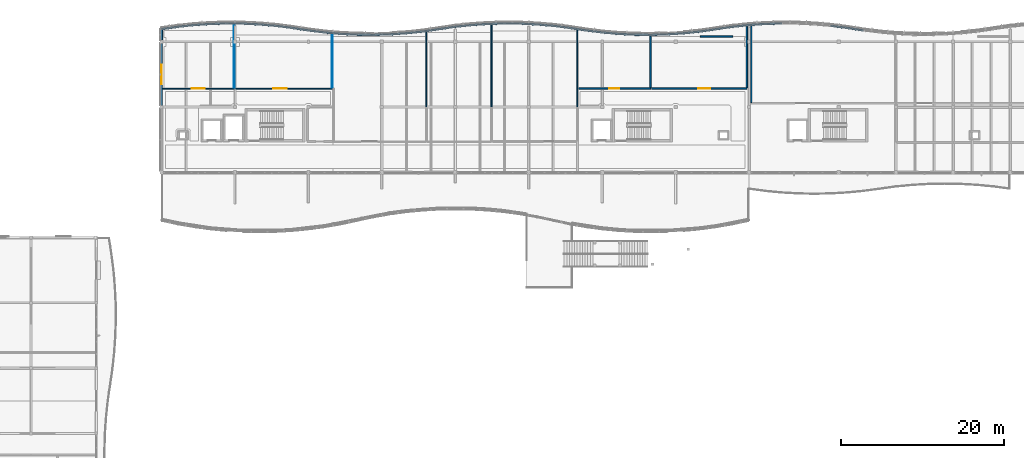
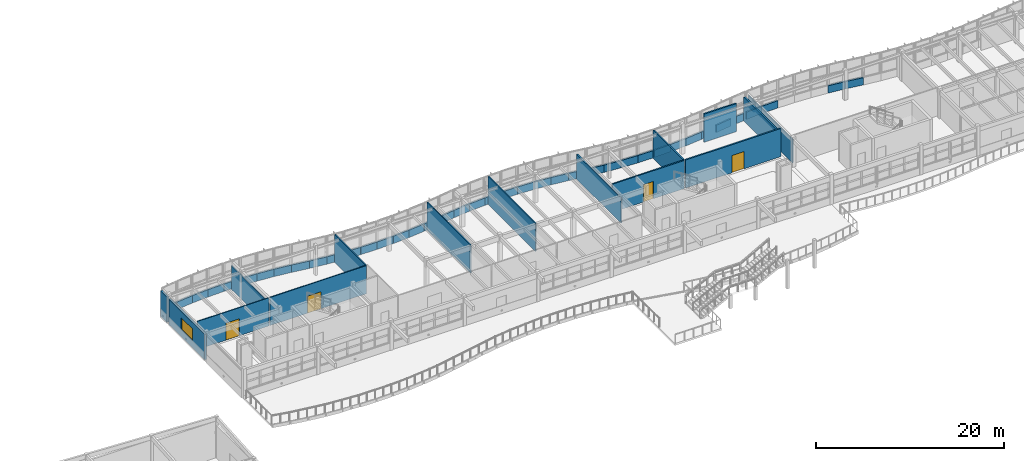
# One storey, part 32 of 52: 55 walls, 4 doors, 1 window, 5 openings.
"""IFC4 building model written with IfcOpenShell, lengths in metres."""

import ifcopenshell
import ifcopenshell.guid

model = None  # the IFC model being written
_history = None  # IfcOwnerHistory: only IFC2X3 demands one
_inside = {}  # id of a spatial element -> (the spatial element, [elements in it])
_under = {}  # id of a project, library or spatial element -> (it, [spatial elements below it])
_declared = {}  # id of a project -> (the project, [libraries it declares])
_typed = {}  # id of a type object -> (the type object, [elements of that type])
_made_of = {}  # id of a material, layer set ... -> (it, [elements and type objects made of it])


def new_model(schema):
    """Start an empty IFC model of exactly this schema.

    Asked for "IFC4X3", IfcOpenShell would pick the latest addendum, in which some entities
    have other attributes; the version numbers below select the first issue.
    IFC2X3 requires an IfcOwnerHistory on every rooted entity: one is made here for all.
    """
    global model, _history
    if schema == "IFC4X3":
        model = ifcopenshell.file(schema_version=(4, 3, 0, 0))
    else:
        model = ifcopenshell.file(schema=schema)
    _inside.clear()
    _under.clear()
    _declared.clear()
    _typed.clear()
    _made_of.clear()
    _history = None
    if model.schema == "IFC2X3":
        org = make("IfcOrganization", Name="unknown")
        user = make(
            "IfcPersonAndOrganization",
            ThePerson=make("IfcPerson", FamilyName="unknown"),
            TheOrganization=org,
        )
        app = make(
            "IfcApplication",
            ApplicationDeveloper=org,
            Version="unknown",
            ApplicationFullName="unknown",
            ApplicationIdentifier="unknown",
        )
        _history = make(
            "IfcOwnerHistory",
            OwningUser=user,
            OwningApplication=app,
            ChangeAction="ADDED",
            CreationDate=0,
        )
    return model


def make(cls, **values):
    """One entity of the class cls with the attributes given. An attribute that is None is left unset."""
    return model.create_entity(
        cls, **{name: value for name, value in values.items() if value is not None}
    )


def rooted(cls, **values):
    """An entity with a GlobalId (a new one), such as an element, a storey or a relation."""
    return make(cls, GlobalId=ifcopenshell.guid.new(), OwnerHistory=_history, **values)


def si_unit(unit_type, name, prefix=None):
    """IfcSIUnit, for example si_unit("LENGTHUNIT", "METRE", prefix="MILLI")."""
    return make("IfcSIUnit", UnitType=unit_type, Prefix=prefix, Name=name)


def assignment(units):
    """IfcUnitAssignment: the units of a project."""
    return None if units is None else make("IfcUnitAssignment", Units=units)


def point(xyz):
    """IfcCartesianPoint."""
    return None if xyz is None else make("IfcCartesianPoint", Coordinates=xyz)


def direction(xyz):
    """IfcDirection."""
    return None if xyz is None else make("IfcDirection", DirectionRatios=xyz)


def frame(location, z_axis=None, x_axis=None):
    """IfcAxis2Placement3D, a coordinate frame: its origin and axes. An axis left out is left unset."""
    return make(
        "IfcAxis2Placement3D",
        Location=point(location),
        Axis=direction(z_axis),
        RefDirection=direction(x_axis),
    )


def frame_2d(location, x_axis=None):
    """IfcAxis2Placement2D, a coordinate frame in the plane: its origin and x axis."""
    return make(
        "IfcAxis2Placement2D", Location=point(location), RefDirection=direction(x_axis)
    )


def origin():
    """The frame at (0, 0, 0) with its axes left unset."""
    return frame((0.0, 0.0, 0.0))


def place(relative_to, where):
    """IfcLocalPlacement: puts the frame where relative to a parent placement (None: the world)."""
    return make(
        "IfcLocalPlacement", PlacementRelTo=relative_to, RelativePlacement=where
    )


def context(
    kind, dimensions, precision=None, world=None, true_north=None, identifier=None
):
    """IfcGeometricRepresentationContext, for example the 3D "Model" context."""
    return make(
        "IfcGeometricRepresentationContext",
        ContextIdentifier=identifier,
        ContextType=kind,
        CoordinateSpaceDimension=dimensions,
        Precision=precision,
        WorldCoordinateSystem=world,
        TrueNorth=true_north,
    )


def subcontext(parent, identifier, kind, view, scale=None):
    """IfcGeometricRepresentationSubContext, for example "Body" below "Model"."""
    return make(
        "IfcGeometricRepresentationSubContext",
        ContextIdentifier=identifier,
        ContextType=kind,
        ParentContext=parent,
        TargetScale=scale,
        TargetView=view,
    )


def project(units=None, contexts=None):
    """IfcProject with its units and contexts."""
    return rooted(
        "IfcProject",
        Name="project",
        RepresentationContexts=contexts,
        UnitsInContext=assignment(units),
    )


def spatial(cls, under=None, at=None, **own):
    """A site, building, storey or space (cls), placed at a placement, below another one or the project."""
    s = rooted(cls, ObjectPlacement=at, **own)
    if under is not None:
        _under.setdefault(under.id(), (under, []))[1].append(s)
    return s


def profile(cls, at=None, kind="AREA", **sizes):
    """A parametric profile (cls). Its sizes go by their IFC names, for example OverallWidth=200.0."""
    return make(cls, ProfileType=kind, Position=at, **sizes)


def rectangle(**sizes):
    """IfcRectangleProfileDef."""
    return profile("IfcRectangleProfileDef", **sizes)


def extrude(swept, where, along, depth):
    """IfcExtrudedAreaSolid: the profile swept, set in the frame where, extruded along a direction by depth."""
    return make(
        "IfcExtrudedAreaSolid",
        SweptArea=swept,
        Position=where,
        ExtrudedDirection=direction(along),
        Depth=depth,
    )


def shape(context_of_items, identifier, shape_type, items):
    """IfcShapeRepresentation: the items that make up one representation, for example the "Body"."""
    return make(
        "IfcShapeRepresentation",
        ContextOfItems=context_of_items,
        RepresentationIdentifier=identifier,
        RepresentationType=shape_type,
        Items=items,
    )


def material(Name=None, Category=None):
    """IfcMaterial."""
    return make("IfcMaterial", Name=Name, Category=Category)


def layer(
    of_material, thickness, ventilated=None, Name=None, Category=None, Priority=None
):
    """IfcMaterialLayer: one layer of a wall or slab, of a material (None: an air gap)."""
    return make(
        "IfcMaterialLayer",
        Material=of_material,
        LayerThickness=thickness,
        IsVentilated=ventilated,
        Name=Name,
        Category=Category,
        Priority=Priority,
    )


def layer_set(layers, Name=None):
    """IfcMaterialLayerSet."""
    return make("IfcMaterialLayerSet", MaterialLayers=layers, LayerSetName=Name)


def made_of(thing, what):
    """Note that an element or type object is made of a material, layer set ...; save() writes the relation."""
    if what is not None:
        _made_of.setdefault(what.id(), (what, []))[1].append(thing)
    return thing


def type_object(cls, material=None, **own):
    """A type object (cls), such as IfcWallType, which elements share."""
    return made_of(rooted(cls, **own), material)


def element(
    cls,
    number,
    at=None,
    inside=None,
    cuts=None,
    type_object=None,
    material=None,
    context=None,
    identifier="Body",
    shape_type=None,
    held_by="IfcProductDefinitionShape",
    body=None,
    shapes=None,
    **own,
):
    """One element of the class cls, such as IfcWall. Its Tag is "e" and its number.

    at: its placement. inside: the storey or other place that contains it. cuts: it is an
    opening in that element (IfcRelVoidsElement). A single representation is given by context,
    identifier, shape_type and body (its items); several are given by shapes. held_by: the class
    of the entity that holds the representations. save() writes the other relations.
    """
    e = rooted(cls, Tag="e%d" % number, ObjectPlacement=at, **own)
    if body is not None:
        shapes = [shape(context, identifier, shape_type, body)]
    if shapes is not None:
        e.Representation = make(held_by, Representations=shapes)
    if inside is not None:
        _inside.setdefault(inside.id(), (inside, []))[1].append(e)
    if cuts is not None:
        rooted(
            "IfcRelVoidsElement", RelatingBuildingElement=cuts, RelatedOpeningElement=e
        )
    if type_object is not None:
        _typed.setdefault(type_object.id(), (type_object, []))[1].append(e)
    return made_of(e, material)


def fill(opening, filler):
    """IfcRelFillsElement: the door or window that sits in an opening."""
    return rooted(
        "IfcRelFillsElement",
        RelatingOpeningElement=opening,
        RelatedBuildingElement=filler,
    )


def aggregate(whole, parts):
    """IfcRelAggregates: a whole, such as a stair, and the parts it consists of."""
    return rooted("IfcRelAggregates", RelatingObject=whole, RelatedObjects=parts)


def save(model, path):
    """Write the relations noted so far, then the file.

    IfcRelAggregates (storeys below a building ...), IfcRelContainedInSpatialStructure (elements
    in a storey), IfcRelDefinesByType, IfcRelAssociatesMaterial and IfcRelDeclares: one each for
    every whole, place, type object, material and project.
    """
    for whole, parts in _under.values():
        aggregate(whole, parts)
    for where, things in _inside.values():
        rooted(
            "IfcRelContainedInSpatialStructure",
            RelatedElements=things,
            RelatingStructure=where,
        )
    for kind, things in _typed.values():
        rooted("IfcRelDefinesByType", RelatedObjects=things, RelatingType=kind)
    for what, things in _made_of.values():
        rooted("IfcRelAssociatesMaterial", RelatedObjects=things, RelatingMaterial=what)
    for by, libraries in _declared.values():
        rooted("IfcRelDeclares", RelatingContext=by, RelatedDefinitions=libraries)
    model.write(path)


model = new_model("IFC4")

# Units and contexts
model_context = context("Model", 3, precision=1e-05, world=origin(), true_north=direction((0.0, 1.0)))
body_context = subcontext(model_context, "Body", "Model", "MODEL_VIEW")
ifc_project = project(units=[si_unit("LENGTHUNIT", "METRE"), si_unit("AREAUNIT", "SQUARE_METRE"), si_unit("VOLUMEUNIT", "CUBIC_METRE"), si_unit("PLANEANGLEUNIT", "RADIAN"), si_unit("MASSUNIT", "GRAM", prefix="KILO")], contexts=[model_context])

# Site, building, storey
site_placement = place(None, origin())
site = spatial("IfcSite", under=ifc_project, at=site_placement, CompositionType="ELEMENT")
building_placement = place(site_placement, origin())
building = spatial("IfcBuilding", under=site, at=building_placement, Name="Tonlespit Floodbar School", CompositionType="ELEMENT")
storey_placement = place(building_placement, frame((0.0, 0.0, 12.300048828125)))
storey = spatial("IfcBuildingStorey", under=building, at=storey_placement, Name="L03", CompositionType="ELEMENT", Elevation=12.300048828125)

# Wall, opening, window
ifc_material_1 = material(Name="Precast concrete C40/50", Category="concrete")
ifc_layer_1 = layer(ifc_material_1, 0.239990234375)
ifc_layer_set_1 = layer_set([ifc_layer_1], Name="Precast concrete C40/50")
wall_type_1 = type_object("IfcWallType", Name="ExtWall_Rainscreen_240", PredefinedType="SOLIDWALL", material=ifc_layer_set_1)
wall_1_placement = place(storey_placement, frame((44.0, 112.199951171875, 0.0), z_axis=(0.0, 0.0, 1.0), x_axis=(0.0, 1.0, 0.0)))
wall_1 = element("IfcWall", 1, at=wall_1_placement, inside=storey, type_object=wall_type_1, Name="L03 external wall 0187", PredefinedType="SOLIDWALL", context=body_context, shape_type="SweptSolid", body=[
    extrude(rectangle(XDim=7.60009765625, YDim=0.239990234375, at=frame_2d((3.800048828125, 0.0))), origin(), (0.0, 0.0, 1.0), 3.2900390625),
])
opening_1_placement = place(wall_1_placement, frame((2.60009765625, 0.0, 0.949951171875)))
opening_1 = element("IfcOpeningElement", 2, at=opening_1_placement, cuts=wall_1, Name="Opening W-L03-008", PredefinedType="OPENING", context=body_context, shape_type="SweptSolid", body=[
    extrude(rectangle(XDim=2.39990234375, YDim=1.5, at=frame_2d((1.199951171875, 0.75))), frame((0.0, 0.1298828125, 0.0), z_axis=(0.0, -1.0, 0.0), x_axis=(1.0, 0.0, 0.0)), (0.0, 0.0, 1.0), 0.260009765625),
])
ifc_material_2 = material(Name="Tempered Double Glazing", Category="glass")
window_type = type_object("IfcWindowType", Name="Win_Mod_2400x1500", PartitioningType="DOUBLE_PANEL_VERTICAL", PredefinedType="WINDOW", material=ifc_material_2)
window_placement = place(opening_1_placement, origin())
window = element("IfcWindow", 3, at=window_placement, inside=storey, type_object=window_type, Name="L03 window W-L03-008", OverallHeight=1.5, OverallWidth=2.39990234375, PartitioningType="DOUBLE_PANEL_VERTICAL", PredefinedType="WINDOW", context=body_context, shape_type="SweptSolid", body=[
    extrude(rectangle(XDim=2.39990234375, YDim=1.5, at=frame_2d((1.199951171875, 0.75))), frame((0.0, 0.030029296875, 0.0), z_axis=(0.0, -1.0, 0.0), x_axis=(1.0, 0.0, 0.0)), (0.0, 0.0, 1.0), 0.06005859375),
])
fill(opening_1, window)

# Walls
wall_2_placement = place(storey_placement, frame((44.0, 120.199951171875, 0.0), z_axis=(0.0, 0.0, 1.0), x_axis=(0.0, 1.0, 0.0)))
element("IfcWall", 4, at=wall_2_placement, inside=storey, type_object=wall_type_1, Name="L03 external wall 0188", PredefinedType="SOLIDWALL", context=body_context, shape_type="SweptSolid", body=[
    extrude(rectangle(XDim=1.35009765625, YDim=0.239990234375, at=frame_2d((0.675048828125, 0.0))), origin(), (0.0, 0.0, 1.0), 3.2900390625),
])
ifc_material_3 = material(Name="White Architectural Precast concrete C40/50", Category="concrete")
ifc_layer_2 = layer(ifc_material_3, 0.199951171875)
ifc_layer_set_2 = layer_set([ifc_layer_2], Name="White Architectural Precast concrete C40/50")
wall_type_2 = type_object("IfcWallType", Name="ExtWall_Spandrel_White_200", PredefinedType="SOLIDWALL", material=ifc_layer_set_2)
wall_3_placement = place(storey_placement, frame((44.0, 121.550048828125, 0.0), z_axis=(0.0, 0.0, 1.0), x_axis=(0.989544477223, 0.144228040259, 0.0)))
element("IfcWall", 5, at=wall_3_placement, inside=storey, type_object=wall_type_2, Name="L03 spandrel wall 0142", PredefinedType="SOLIDWALL", context=body_context, shape_type="SweptSolid", body=[
    extrude(rectangle(XDim=2.021240234375, YDim=0.199951171875, at=frame_2d((1.0107421875, 0.0))), origin(), (0.0, 0.0, 1.0), 0.949951171875),
])
wall_4_placement = place(storey_placement, frame((46.0, 121.841552734375, 0.0), z_axis=(0.0, 0.0, 1.0), x_axis=(0.994395160059, 0.105727317433, 0.0)))
element("IfcWall", 6, at=wall_4_placement, inside=storey, type_object=wall_type_2, Name="L03 spandrel wall 0143", PredefinedType="SOLIDWALL", context=body_context, shape_type="SweptSolid", body=[
    extrude(rectangle(XDim=2.01123046875, YDim=0.199951171875, at=frame_2d((1.005615234375, 0.0))), origin(), (0.0, 0.0, 1.0), 0.949951171875),
])
wall_5_placement = place(storey_placement, frame((48.0, 122.05419921875, 0.0), z_axis=(0.0, 0.0, 1.0), x_axis=(0.997729302978, 0.067351599676, 0.0)))
element("IfcWall", 7, at=wall_5_placement, inside=storey, type_object=wall_type_2, Name="L03 spandrel wall 0144", PredefinedType="SOLIDWALL", context=body_context, shape_type="SweptSolid", body=[
    extrude(rectangle(XDim=2.004638671875, YDim=0.199951171875, at=frame_2d((1.00244140625, 0.0))), origin(), (0.0, 0.0, 1.0), 0.949951171875),
])
wall_6_placement = place(storey_placement, frame((50.0, 122.189208984375, 0.0), z_axis=(0.0, 0.0, 1.0), x_axis=(0.999581770858, 0.028918564416, 0.0)))
element("IfcWall", 8, at=wall_6_placement, inside=storey, type_object=wall_type_2, Name="L03 spandrel wall 0145", PredefinedType="SOLIDWALL", context=body_context, shape_type="SweptSolid", body=[
    extrude(rectangle(XDim=2.000732421875, YDim=0.199951171875, at=frame_2d((1.00048828125, 0.0))), origin(), (0.0, 0.0, 1.0), 0.949951171875),
])
wall_7_placement = place(storey_placement, frame((52.0, 122.2470703125, 0.0), z_axis=(0.0, 0.0, 1.0), x_axis=(0.999953504169, -0.009643106302, 0.0)))
element("IfcWall", 9, at=wall_7_placement, inside=storey, type_object=wall_type_2, Name="L03 spandrel wall 0146", PredefinedType="SOLIDWALL", context=body_context, shape_type="SweptSolid", body=[
    extrude(rectangle(XDim=2.0, YDim=0.199951171875, at=frame_2d((1.0, 0.0))), origin(), (0.0, 0.0, 1.0), 0.949951171875),
])
wall_8_placement = place(storey_placement, frame((54.0, 122.227783203125, 0.0), z_axis=(0.0, 0.0, 1.0), x_axis=(0.99884540439, -0.048040172037, 0.0)))
element("IfcWall", 10, at=wall_8_placement, inside=storey, type_object=wall_type_2, Name="L03 spandrel wall 0147", PredefinedType="SOLIDWALL", context=body_context, shape_type="SweptSolid", body=[
    extrude(rectangle(XDim=2.002197265625, YDim=0.199951171875, at=frame_2d((1.0009765625, 0.0))), origin(), (0.0, 0.0, 1.0), 0.949951171875),
])
wall_9_placement = place(storey_placement, frame((56.0, 122.131591796875, 0.0), z_axis=(0.0, 0.0, 1.0), x_axis=(0.996244237948, -0.086587633962, 0.0)))
element("IfcWall", 11, at=wall_9_placement, inside=storey, type_object=wall_type_2, Name="L03 spandrel wall 0148", PredefinedType="SOLIDWALL", context=body_context, shape_type="SweptSolid", body=[
    extrude(rectangle(XDim=2.007568359375, YDim=0.199951171875, at=frame_2d((1.00390625, 0.0))), origin(), (0.0, 0.0, 1.0), 0.949951171875),
])
wall_10_placement = place(storey_placement, frame((58.0, 121.957763671875, 0.0), z_axis=(0.0, 0.0, 1.0), x_axis=(0.992158168336, -0.124988675503, 0.0)))
element("IfcWall", 12, at=wall_10_placement, inside=storey, type_object=wall_type_2, Name="L03 spandrel wall 0149", PredefinedType="SOLIDWALL", context=body_context, shape_type="SweptSolid", body=[
    extrude(rectangle(XDim=2.015869140625, YDim=0.199951171875, at=frame_2d((1.0078125, 0.0))), origin(), (0.0, 0.0, 1.0), 0.949951171875),
])
wall_11_placement = place(storey_placement, frame((60.0, 121.705810546875, 0.0), z_axis=(0.0, 0.0, 1.0), x_axis=(0.988085509852, -0.153905897287, 0.0)))
element("IfcWall", 13, at=wall_11_placement, inside=storey, type_object=wall_type_2, Name="L03 spandrel wall 0150", PredefinedType="SOLIDWALL", context=body_context, shape_type="SweptSolid", body=[
    extrude(rectangle(XDim=2.024169921875, YDim=0.199951171875, at=frame_2d((1.01220703125, 0.0))), origin(), (0.0, 0.0, 1.0), 0.949951171875),
])
wall_12_placement = place(storey_placement, frame((62.0, 121.394287109375, 0.0), z_axis=(0.0, 0.0, 1.0), x_axis=(0.992158168336, -0.124988675503, 0.0)))
element("IfcWall", 14, at=wall_12_placement, inside=storey, type_object=wall_type_2, Name="L03 spandrel wall 0151", PredefinedType="SOLIDWALL", context=body_context, shape_type="SweptSolid", body=[
    extrude(rectangle(XDim=2.015869140625, YDim=0.199951171875, at=frame_2d((1.0078125, 0.0))), origin(), (0.0, 0.0, 1.0), 0.949951171875),
])
wall_13_placement = place(storey_placement, frame((64.0, 121.142333984375, 0.0), z_axis=(0.0, 0.0, 1.0), x_axis=(0.996244237948, -0.086587633962, 0.0)))
element("IfcWall", 15, at=wall_13_placement, inside=storey, type_object=wall_type_2, Name="L03 spandrel wall 0152", PredefinedType="SOLIDWALL", context=body_context, shape_type="SweptSolid", body=[
    extrude(rectangle(XDim=2.007568359375, YDim=0.199951171875, at=frame_2d((1.00390625, 0.0))), origin(), (0.0, 0.0, 1.0), 0.949951171875),
])
wall_14_placement = place(storey_placement, frame((66.0, 120.968505859375, 0.0), z_axis=(0.0, 0.0, 1.0), x_axis=(0.99884540439, -0.048040172037, 0.0)))
element("IfcWall", 16, at=wall_14_placement, inside=storey, type_object=wall_type_2, Name="L03 spandrel wall 0153", PredefinedType="SOLIDWALL", context=body_context, shape_type="SweptSolid", body=[
    extrude(rectangle(XDim=2.002197265625, YDim=0.199951171875, at=frame_2d((1.0009765625, 0.0))), origin(), (0.0, 0.0, 1.0), 0.949951171875),
])
wall_15_placement = place(storey_placement, frame((68.0, 120.872314453125, 0.0), z_axis=(0.0, 0.0, 1.0), x_axis=(0.999953504169, -0.009643106302, 0.0)))
element("IfcWall", 17, at=wall_15_placement, inside=storey, type_object=wall_type_2, Name="L03 spandrel wall 0154", PredefinedType="SOLIDWALL", context=body_context, shape_type="SweptSolid", body=[
    extrude(rectangle(XDim=2.0, YDim=0.199951171875, at=frame_2d((1.0, 0.0))), origin(), (0.0, 0.0, 1.0), 0.949951171875),
])
wall_16_placement = place(storey_placement, frame((70.0, 120.85302734375, 0.0), z_axis=(0.0, 0.0, 1.0), x_axis=(0.999585290582, 0.028796646555, 0.0)))
element("IfcWall", 18, at=wall_16_placement, inside=storey, type_object=wall_type_2, Name="L03 spandrel wall 0155", PredefinedType="SOLIDWALL", context=body_context, shape_type="SweptSolid", body=[
    extrude(rectangle(XDim=2.000732421875, YDim=0.199951171875, at=frame_2d((1.00048828125, 0.0))), origin(), (0.0, 0.0, 1.0), 0.949951171875),
])
wall_17_placement = place(storey_placement, frame((72.0, 120.91064453125, 0.0), z_axis=(0.0, 0.0, 1.0), x_axis=(0.997729302978, 0.067351599676, 0.0)))
element("IfcWall", 19, at=wall_17_placement, inside=storey, type_object=wall_type_2, Name="L03 spandrel wall 0156", PredefinedType="SOLIDWALL", context=body_context, shape_type="SweptSolid", body=[
    extrude(rectangle(XDim=2.004638671875, YDim=0.199951171875, at=frame_2d((1.00244140625, 0.0))), origin(), (0.0, 0.0, 1.0), 0.949951171875),
])
wall_18_placement = place(storey_placement, frame((74.0, 121.045654296875, 0.0), z_axis=(0.0, 0.0, 1.0), x_axis=(0.994395160059, 0.105727317433, 0.0)))
element("IfcWall", 20, at=wall_18_placement, inside=storey, type_object=wall_type_2, Name="L03 spandrel wall 0157", PredefinedType="SOLIDWALL", context=body_context, shape_type="SweptSolid", body=[
    extrude(rectangle(XDim=2.01123046875, YDim=0.199951171875, at=frame_2d((1.005615234375, 0.0))), origin(), (0.0, 0.0, 1.0), 0.949951171875),
])
for number, where, z_axis, x_axis, name in (
    (21, (76.0, 121.25830078125, 0.0), (0.0, 0.0, 1.0), (0.989527230727, 0.144346318447, 0.0), "L03 spandrel wall 0158"),
    (22, (78.0, 121.550048828125, 0.0), (0.0, 0.0, 1.0), (0.989544477223, 0.144228040259, 0.0), "L03 spandrel wall 0159"),
):
    element("IfcWall", number, at=place(storey_placement, frame(where, z_axis=z_axis, x_axis=x_axis)), inside=storey, type_object=wall_type_2, Name=name, PredefinedType="SOLIDWALL", context=body_context, shape_type="SweptSolid", body=[
        extrude(rectangle(XDim=2.021240234375, YDim=0.199951171875, at=frame_2d((1.0107421875, 0.0))), origin(), (0.0, 0.0, 1.0), 0.949951171875),
    ])
wall_19_placement = place(storey_placement, frame((80.0, 121.841552734375, 0.0), z_axis=(0.0, 0.0, 1.0), x_axis=(0.994395160059, 0.105727317433, 0.0)))
element("IfcWall", 23, at=wall_19_placement, inside=storey, type_object=wall_type_2, Name="L03 spandrel wall 0160", PredefinedType="SOLIDWALL", context=body_context, shape_type="SweptSolid", body=[
    extrude(rectangle(XDim=2.01123046875, YDim=0.199951171875, at=frame_2d((1.005615234375, 0.0))), origin(), (0.0, 0.0, 1.0), 0.949951171875),
])
wall_20_placement = place(storey_placement, frame((82.0, 122.05419921875, 0.0), z_axis=(0.0, 0.0, 1.0), x_axis=(0.997729302978, 0.067351599676, 0.0)))
element("IfcWall", 24, at=wall_20_placement, inside=storey, type_object=wall_type_2, Name="L03 spandrel wall 0161", PredefinedType="SOLIDWALL", context=body_context, shape_type="SweptSolid", body=[
    extrude(rectangle(XDim=2.004638671875, YDim=0.199951171875, at=frame_2d((1.00244140625, 0.0))), origin(), (0.0, 0.0, 1.0), 0.949951171875),
])
wall_21_placement = place(storey_placement, frame((84.0, 122.189208984375, 0.0), z_axis=(0.0, 0.0, 1.0), x_axis=(0.999581770858, 0.028918564416, 0.0)))
element("IfcWall", 25, at=wall_21_placement, inside=storey, type_object=wall_type_2, Name="L03 spandrel wall 0162", PredefinedType="SOLIDWALL", context=body_context, shape_type="SweptSolid", body=[
    extrude(rectangle(XDim=2.000732421875, YDim=0.199951171875, at=frame_2d((1.00048828125, 0.0))), origin(), (0.0, 0.0, 1.0), 0.949951171875),
])
wall_22_placement = place(storey_placement, frame((86.0, 122.2470703125, 0.0), z_axis=(0.0, 0.0, 1.0), x_axis=(0.999953504169, -0.009643106302, 0.0)))
element("IfcWall", 26, at=wall_22_placement, inside=storey, type_object=wall_type_2, Name="L03 spandrel wall 0163", PredefinedType="SOLIDWALL", context=body_context, shape_type="SweptSolid", body=[
    extrude(rectangle(XDim=2.0, YDim=0.199951171875, at=frame_2d((1.0, 0.0))), origin(), (0.0, 0.0, 1.0), 0.949951171875),
])
wall_23_placement = place(storey_placement, frame((88.0, 122.227783203125, 0.0), z_axis=(0.0, 0.0, 1.0), x_axis=(0.99884540439, -0.048040172037, 0.0)))
element("IfcWall", 27, at=wall_23_placement, inside=storey, type_object=wall_type_2, Name="L03 spandrel wall 0164", PredefinedType="SOLIDWALL", context=body_context, shape_type="SweptSolid", body=[
    extrude(rectangle(XDim=2.002197265625, YDim=0.199951171875, at=frame_2d((1.0009765625, 0.0))), origin(), (0.0, 0.0, 1.0), 0.949951171875),
])
wall_24_placement = place(storey_placement, frame((90.0, 122.131591796875, 0.0), z_axis=(0.0, 0.0, 1.0), x_axis=(0.996244237948, -0.086587633962, 0.0)))
element("IfcWall", 28, at=wall_24_placement, inside=storey, type_object=wall_type_2, Name="L03 spandrel wall 0165", PredefinedType="SOLIDWALL", context=body_context, shape_type="SweptSolid", body=[
    extrude(rectangle(XDim=2.007568359375, YDim=0.199951171875, at=frame_2d((1.00390625, 0.0))), origin(), (0.0, 0.0, 1.0), 0.949951171875),
])
wall_25_placement = place(storey_placement, frame((92.0, 121.957763671875, 0.0), z_axis=(0.0, 0.0, 1.0), x_axis=(0.992158168336, -0.124988675503, 0.0)))
element("IfcWall", 29, at=wall_25_placement, inside=storey, type_object=wall_type_2, Name="L03 spandrel wall 0166", PredefinedType="SOLIDWALL", context=body_context, shape_type="SweptSolid", body=[
    extrude(rectangle(XDim=2.015869140625, YDim=0.199951171875, at=frame_2d((1.0078125, 0.0))), origin(), (0.0, 0.0, 1.0), 0.949951171875),
])
wall_26_placement = place(storey_placement, frame((94.0, 121.705810546875, 0.0), z_axis=(0.0, 0.0, 1.0), x_axis=(0.988085509852, -0.153905897287, 0.0)))
element("IfcWall", 30, at=wall_26_placement, inside=storey, type_object=wall_type_2, Name="L03 spandrel wall 0167", PredefinedType="SOLIDWALL", context=body_context, shape_type="SweptSolid", body=[
    extrude(rectangle(XDim=2.024169921875, YDim=0.199951171875, at=frame_2d((1.01220703125, 0.0))), origin(), (0.0, 0.0, 1.0), 0.949951171875),
])
wall_27_placement = place(storey_placement, frame((96.0, 121.394287109375, 0.0), z_axis=(0.0, 0.0, 1.0), x_axis=(0.992158168336, -0.124988675503, 0.0)))
element("IfcWall", 31, at=wall_27_placement, inside=storey, type_object=wall_type_2, Name="L03 spandrel wall 0168", PredefinedType="SOLIDWALL", context=body_context, shape_type="SweptSolid", body=[
    extrude(rectangle(XDim=2.015869140625, YDim=0.199951171875, at=frame_2d((1.0078125, 0.0))), origin(), (0.0, 0.0, 1.0), 0.949951171875),
])
wall_28_placement = place(storey_placement, frame((98.0, 121.142333984375, 0.0), z_axis=(0.0, 0.0, 1.0), x_axis=(0.996244237948, -0.086587633962, 0.0)))
element("IfcWall", 32, at=wall_28_placement, inside=storey, type_object=wall_type_2, Name="L03 spandrel wall 0169", PredefinedType="SOLIDWALL", context=body_context, shape_type="SweptSolid", body=[
    extrude(rectangle(XDim=2.007568359375, YDim=0.199951171875, at=frame_2d((1.00390625, 0.0))), origin(), (0.0, 0.0, 1.0), 0.949951171875),
])
wall_29_placement = place(storey_placement, frame((100.0, 120.968505859375, 0.0), z_axis=(0.0, 0.0, 1.0), x_axis=(0.99884540439, -0.048040172037, 0.0)))
element("IfcWall", 33, at=wall_29_placement, inside=storey, type_object=wall_type_2, Name="L03 spandrel wall 0170", PredefinedType="SOLIDWALL", context=body_context, shape_type="SweptSolid", body=[
    extrude(rectangle(XDim=2.002197265625, YDim=0.199951171875, at=frame_2d((1.0009765625, 0.0))), origin(), (0.0, 0.0, 1.0), 0.949951171875),
])
wall_30_placement = place(storey_placement, frame((102.0, 120.872314453125, 0.0), z_axis=(0.0, 0.0, 1.0), x_axis=(0.999953504169, -0.009643106302, 0.0)))
element("IfcWall", 34, at=wall_30_placement, inside=storey, type_object=wall_type_2, Name="L03 spandrel wall 0171", PredefinedType="SOLIDWALL", context=body_context, shape_type="SweptSolid", body=[
    extrude(rectangle(XDim=2.0, YDim=0.199951171875, at=frame_2d((1.0, 0.0))), origin(), (0.0, 0.0, 1.0), 0.949951171875),
])
wall_31_placement = place(storey_placement, frame((104.0, 120.85302734375, 0.0), z_axis=(0.0, 0.0, 1.0), x_axis=(0.999585290582, 0.028796646555, 0.0)))
element("IfcWall", 35, at=wall_31_placement, inside=storey, type_object=wall_type_2, Name="L03 spandrel wall 0172", PredefinedType="SOLIDWALL", context=body_context, shape_type="SweptSolid", body=[
    extrude(rectangle(XDim=2.000732421875, YDim=0.199951171875, at=frame_2d((1.00048828125, 0.0))), origin(), (0.0, 0.0, 1.0), 0.949951171875),
])
wall_32_placement = place(storey_placement, frame((106.0, 120.91064453125, 0.0), z_axis=(0.0, 0.0, 1.0), x_axis=(0.997729302978, 0.067351599676, 0.0)))
element("IfcWall", 36, at=wall_32_placement, inside=storey, type_object=wall_type_2, Name="L03 spandrel wall 0173", PredefinedType="SOLIDWALL", context=body_context, shape_type="SweptSolid", body=[
    extrude(rectangle(XDim=2.004638671875, YDim=0.199951171875, at=frame_2d((1.00244140625, 0.0))), origin(), (0.0, 0.0, 1.0), 0.949951171875),
])
wall_33_placement = place(storey_placement, frame((108.0, 121.045654296875, 0.0), z_axis=(0.0, 0.0, 1.0), x_axis=(0.994395160059, 0.105727317433, 0.0)))
element("IfcWall", 37, at=wall_33_placement, inside=storey, type_object=wall_type_2, Name="L03 spandrel wall 0174", PredefinedType="SOLIDWALL", context=body_context, shape_type="SweptSolid", body=[
    extrude(rectangle(XDim=2.01123046875, YDim=0.199951171875, at=frame_2d((1.005615234375, 0.0))), origin(), (0.0, 0.0, 1.0), 0.949951171875),
])
for number, where, z_axis, x_axis, name in (
    (38, (110.0, 121.25830078125, 0.0), (0.0, 0.0, 1.0), (0.989527230727, 0.144346318447, 0.0), "L03 spandrel wall 0175"),
    (39, (112.0, 121.550048828125, 0.0), (0.0, 0.0, 1.0), (0.989544477223, 0.144228040259, 0.0), "L03 spandrel wall 0176"),
):
    element("IfcWall", number, at=place(storey_placement, frame(where, z_axis=z_axis, x_axis=x_axis)), inside=storey, type_object=wall_type_2, Name=name, PredefinedType="SOLIDWALL", context=body_context, shape_type="SweptSolid", body=[
        extrude(rectangle(XDim=2.021240234375, YDim=0.199951171875, at=frame_2d((1.0107421875, 0.0))), origin(), (0.0, 0.0, 1.0), 0.949951171875),
    ])
wall_34_placement = place(storey_placement, frame((114.0, 121.841552734375, 0.0), z_axis=(0.0, 0.0, 1.0), x_axis=(0.994395160059, 0.105727317433, 0.0)))
element("IfcWall", 40, at=wall_34_placement, inside=storey, type_object=wall_type_2, Name="L03 spandrel wall 0177", PredefinedType="SOLIDWALL", context=body_context, shape_type="SweptSolid", body=[
    extrude(rectangle(XDim=2.01123046875, YDim=0.199951171875, at=frame_2d((1.005615234375, 0.0))), origin(), (0.0, 0.0, 1.0), 0.949951171875),
])
wall_35_placement = place(storey_placement, frame((116.0, 122.05419921875, 0.0), z_axis=(0.0, 0.0, 1.0), x_axis=(0.997729302978, 0.067351599676, 0.0)))
element("IfcWall", 41, at=wall_35_placement, inside=storey, type_object=wall_type_2, Name="L03 spandrel wall 0630", PredefinedType="SOLIDWALL", context=body_context, shape_type="SweptSolid", body=[
    extrude(rectangle(XDim=2.004638671875, YDim=0.199951171875, at=frame_2d((1.00244140625, 0.0))), origin(), (0.0, 0.0, 1.0), 0.949951171875),
])
wall_36_placement = place(storey_placement, frame((118.0, 122.189208984375, 0.0), z_axis=(0.0, 0.0, 1.0), x_axis=(0.999581770858, 0.028918564416, 0.0)))
element("IfcWall", 42, at=wall_36_placement, inside=storey, type_object=wall_type_2, Name="L03 spandrel wall 0631", PredefinedType="SOLIDWALL", context=body_context, shape_type="SweptSolid", body=[
    extrude(rectangle(XDim=2.000732421875, YDim=0.199951171875, at=frame_2d((1.00048828125, 0.0))), origin(), (0.0, 0.0, 1.0), 0.949951171875),
])
wall_37_placement = place(storey_placement, frame((126.0, 121.957763671875, 0.0), z_axis=(0.0, 0.0, 1.0), x_axis=(0.992158168336, -0.124988675503, 0.0)))
element("IfcWall", 43, at=wall_37_placement, inside=storey, type_object=wall_type_2, Name="L03 spandrel wall 0635", PredefinedType="SOLIDWALL", context=body_context, shape_type="SweptSolid", body=[
    extrude(rectangle(XDim=2.015869140625, YDim=0.199951171875, at=frame_2d((1.0078125, 0.0))), origin(), (0.0, 0.0, 1.0), 0.949951171875),
])
wall_38_placement = place(storey_placement, frame((128.0, 121.705810546875, 0.0), z_axis=(0.0, 0.0, 1.0), x_axis=(0.988085509852, -0.153905897287, 0.0)))
element("IfcWall", 44, at=wall_38_placement, inside=storey, type_object=wall_type_2, Name="L03 spandrel wall 0636", PredefinedType="SOLIDWALL", context=body_context, shape_type="SweptSolid", body=[
    extrude(rectangle(XDim=2.024169921875, YDim=0.199951171875, at=frame_2d((1.01220703125, 0.0))), origin(), (0.0, 0.0, 1.0), 0.949951171875),
])

# Wall, opening, door
ifc_material_4 = material(Name="Gypsum Plasterboard Partition")
ifc_layer_3 = layer(ifc_material_4, 0.110107421875)
ifc_layer_set_3 = layer_set([ifc_layer_3], Name="Gypsum Plasterboard Partition")
wall_type_3 = type_object("IfcWallType", Name="Partition_Gyp_110", PredefinedType="PARTITIONING", material=ifc_layer_set_3)
wall_39_placement = place(storey_placement, frame((44.162109375, 114.27001953125, 0.0), z_axis=(0.0, 0.0, 1.0), x_axis=(1.0, 0.0, 0.0)))
wall_39 = element("IfcWall", 45, at=wall_39_placement, inside=storey, type_object=wall_type_3, Name="L03 partition wall 0083", PredefinedType="PARTITIONING", context=body_context, shape_type="SweptSolid", body=[
    extrude(rectangle(XDim=8.767822265625, YDim=0.110107421875, at=frame_2d((4.3837890625, 0.0))), origin(), (0.0, 0.0, 1.0), 3.64990234375),
])
opening_2_placement = place(wall_39_placement, frame((3.5380859375, 0.0, 0.0)))
opening_2 = element("IfcOpeningElement", 46, at=opening_2_placement, cuts=wall_39, Name="Opening D-L03-027", PredefinedType="OPENING", context=body_context, shape_type="SweptSolid", body=[
    extrude(rectangle(XDim=1.60009765625, YDim=2.199951171875, at=frame_2d((0.800048828125, 1.10009765625))), frame((0.0, 0.06494140625, 0.0), z_axis=(0.0, -1.0, 0.0), x_axis=(1.0, 0.0, 0.0)), (0.0, 0.0, 1.0), 0.130126953125),
])
ifc_material_5 = material(Name="Hardwood Timber", Category="wood")
door_type_1 = type_object("IfcDoorType", Name="IntDoor_1600x2200", OperationType="NOTDEFINED", PredefinedType="DOOR", material=ifc_material_5)
door_1_placement = place(opening_2_placement, origin())
door_1 = element("IfcDoor", 47, at=door_1_placement, inside=storey, type_object=door_type_1, Name="L03 interior door D-L03-027", OperationType="SINGLE_SWING_RIGHT", OverallHeight=2.199951171875, OverallWidth=1.60009765625, PredefinedType="DOOR", context=body_context, shape_type="SweptSolid", body=[
    extrude(rectangle(XDim=1.60009765625, YDim=2.199951171875, at=frame_2d((0.800048828125, 1.10009765625))), frame((0.0, 0.02490234375, 0.0), z_axis=(0.0, -1.0, 0.0), x_axis=(1.0, 0.0, 0.0)), (0.0, 0.0, 1.0), 0.050048828125),
])
fill(opening_2, door_1)

# Wall
wall_40_placement = place(storey_placement, frame((52.929931640625, 114.340087890625, 0.0), z_axis=(0.0, 0.0, 1.0), x_axis=(0.0, 1.0, 0.0)))
element("IfcWall", 48, at=wall_40_placement, inside=storey, type_object=wall_type_3, Name="L03 partition wall 0084", PredefinedType="PARTITIONING", context=body_context, shape_type="SweptSolid", body=[
    extrude(rectangle(XDim=7.756103515625, YDim=0.110107421875, at=frame_2d((3.8779296875, 0.0))), origin(), (0.0, 0.0, 1.0), 3.08984375),
])

# Wall, opening, door
ifc_layer_4 = layer(ifc_material_4, 0.1201171875)
ifc_layer_set_4 = layer_set([ifc_layer_4], Name="Gypsum Plasterboard Partition")
wall_type_4 = type_object("IfcWallType", Name="Partition_Gyp_120", PredefinedType="PARTITIONING", material=ifc_layer_set_4)
wall_41_placement = place(storey_placement, frame((53.070068359375, 114.27001953125, 0.0), z_axis=(0.0, 0.0, 1.0), x_axis=(1.0, 0.0, 0.0)))
wall_41 = element("IfcWall", 49, at=wall_41_placement, inside=storey, type_object=wall_type_4, Name="L03 partition wall 0085", PredefinedType="PARTITIONING", context=body_context, shape_type="SweptSolid", body=[
    extrude(rectangle(XDim=11.85986328125, YDim=0.1201171875, at=frame_2d((5.929931640625, 0.0))), origin(), (0.0, 0.0, 1.0), 3.64990234375),
])
opening_3_placement = place(wall_41_placement, frame((4.590087890625, 0.0, 0.0)))
opening_3 = element("IfcOpeningElement", 50, at=opening_3_placement, cuts=wall_41, Name="Opening D-L03-028", PredefinedType="OPENING", context=body_context, shape_type="SweptSolid", body=[
    extrude(rectangle(XDim=1.679931640625, YDim=2.199951171875, at=frame_2d((0.83984375, 1.10009765625))), frame((0.0, 0.070068359375, 0.0), z_axis=(0.0, -1.0, 0.0), x_axis=(1.0, 0.0, 0.0)), (0.0, 0.0, 1.0), 0.14013671875),
])
door_type_2 = type_object("IfcDoorType", Name="IntDoor_1680x2200", OperationType="NOTDEFINED", PredefinedType="DOOR", material=ifc_material_5)
door_2_placement = place(opening_3_placement, origin())
door_2 = element("IfcDoor", 51, at=door_2_placement, inside=storey, type_object=door_type_2, Name="L03 interior door D-L03-028", OperationType="SINGLE_SWING_LEFT", OverallHeight=2.199951171875, OverallWidth=1.679931640625, PredefinedType="DOOR", context=body_context, shape_type="SweptSolid", body=[
    extrude(rectangle(XDim=1.679931640625, YDim=2.199951171875, at=frame_2d((0.83984375, 1.10009765625))), frame((0.0, 0.02490234375, 0.0), z_axis=(0.0, -1.0, 0.0), x_axis=(1.0, 0.0, 0.0)), (0.0, 0.0, 1.0), 0.050048828125),
])
fill(opening_3, door_2)

# Walls
wall_42_placement = place(storey_placement, frame((64.929931640625, 114.344970703125, 0.0), z_axis=(0.0, 0.0, 1.0), x_axis=(0.0, 1.0, 0.0)))
element("IfcWall", 52, at=wall_42_placement, inside=storey, type_object=wall_type_4, Name="L03 partition wall 0086", PredefinedType="PARTITIONING", context=body_context, shape_type="SweptSolid", body=[
    extrude(rectangle(XDim=6.574462890625, YDim=0.1201171875, at=frame_2d((3.287109375, 0.0))), origin(), (0.0, 0.0, 1.0), 3.64990234375),
])
ifc_layer_5 = layer(ifc_material_4, 0.1298828125)
ifc_layer_set_5 = layer_set([ifc_layer_5], Name="Gypsum Plasterboard Partition")
wall_type_5 = type_object("IfcWallType", Name="Partition_Gyp_130", PredefinedType="PARTITIONING", material=ifc_layer_set_5)
wall_43_placement = place(storey_placement, frame((76.429931640625, 112.0, 0.0), z_axis=(0.0, 0.0, 1.0), x_axis=(0.0, 1.0, 0.0)))
element("IfcWall", 53, at=wall_43_placement, inside=storey, type_object=wall_type_5, Name="L03 partition wall 0091", PredefinedType="PARTITIONING", context=body_context, shape_type="SweptSolid", body=[
    extrude(rectangle(XDim=9.17919921875, YDim=0.1298828125, at=frame_2d((4.589599609375, 0.0))), origin(), (0.0, 0.0, 1.0), 3.64990234375),
])
ifc_layer_6 = layer(ifc_material_4, 0.139892578125)
ifc_layer_set_6 = layer_set([ifc_layer_6], Name="Gypsum Plasterboard Partition")
wall_type_6 = type_object("IfcWallType", Name="Partition_Gyp_140", PredefinedType="PARTITIONING", material=ifc_layer_set_6)
wall_44_placement = place(storey_placement, frame((84.429931640625, 112.0, 0.0), z_axis=(0.0, 0.0, 1.0), x_axis=(0.0, 1.0, 0.0)))
element("IfcWall", 54, at=wall_44_placement, inside=storey, type_object=wall_type_6, Name="L03 partition wall 0094", PredefinedType="PARTITIONING", context=body_context, shape_type="SweptSolid", body=[
    extrude(rectangle(XDim=10.059814453125, YDim=0.139892578125, at=frame_2d((5.02978515625, 0.0))), origin(), (0.0, 0.0, 1.0), 3.64990234375),
])
wall_45_placement = place(storey_placement, frame((116.27001953125, 112.554931640625, 0.0), z_axis=(0.0, 0.0, 1.0), x_axis=(0.0, 1.0, 0.0)))
element("IfcWall", 55, at=wall_45_placement, inside=storey, type_object=wall_type_6, Name="L03 partition wall 0410", PredefinedType="PARTITIONING", context=body_context, shape_type="SweptSolid", body=[
    extrude(rectangle(XDim=9.37548828125, YDim=0.139892578125, at=frame_2d((4.687744140625, 0.0))), origin(), (0.0, 0.0, 1.0), 3.0849609375),
])
ifc_layer_7 = layer(ifc_material_4, 0.14990234375)
ifc_layer_set_7 = layer_set([ifc_layer_7], Name="Gypsum Plasterboard Partition")
wall_type_7 = type_object("IfcWallType", Name="Partition_Gyp_150", PredefinedType="PARTITIONING", material=ifc_layer_set_7)
wall_46_placement = place(storey_placement, frame((94.929931640625, 112.0, 0.0), z_axis=(0.0, 0.0, 1.0), x_axis=(0.0, 1.0, 0.0)))
element("IfcWall", 56, at=wall_46_placement, inside=storey, type_object=wall_type_7, Name="L03 partition wall 0097", PredefinedType="PARTITIONING", context=body_context, shape_type="SweptSolid", body=[
    extrude(rectangle(XDim=9.4189453125, YDim=0.14990234375, at=frame_2d((4.70947265625, 0.0))), origin(), (0.0, 0.0, 1.0), 3.25),
])

# Wall, opening, door
ifc_layer_8 = layer(ifc_material_4, 0.169921875)
ifc_layer_set_8 = layer_set([ifc_layer_8], Name="Gypsum Plasterboard Partition")
wall_type_8 = type_object("IfcWallType", Name="Partition_Gyp_170", PredefinedType="PARTITIONING", material=ifc_layer_set_8)
wall_47_placement = place(storey_placement, frame((95.070068359375, 114.27001953125, 0.0), z_axis=(0.0, 0.0, 1.0), x_axis=(1.0, 0.0, 0.0)))
wall_47 = element("IfcWall", 57, at=wall_47_placement, inside=storey, type_object=wall_type_8, Name="L03 partition wall 0098", PredefinedType="PARTITIONING", context=body_context, shape_type="SweptSolid", body=[
    extrude(rectangle(XDim=8.85986328125, YDim=0.169921875, at=frame_2d((4.429931640625, 0.0))), origin(), (0.0, 0.0, 1.0), 3.64990234375),
])
opening_4_placement = place(wall_47_placement, frame((3.81005859375, 0.0, 0.0)))
opening_4 = element("IfcOpeningElement", 58, at=opening_4_placement, cuts=wall_47, Name="Opening D-L03-032", PredefinedType="OPENING", context=body_context, shape_type="SweptSolid", body=[
    extrude(rectangle(XDim=1.239990234375, YDim=2.25, at=frame_2d((0.6201171875, 1.125))), frame((0.0, 0.094970703125, 0.0), z_axis=(0.0, -1.0, 0.0), x_axis=(1.0, 0.0, 0.0)), (0.0, 0.0, 1.0), 0.18994140625),
])
door_type_3 = type_object("IfcDoorType", Name="IntDoor_1240x2250", OperationType="NOTDEFINED", PredefinedType="DOOR", material=ifc_material_5)
door_3_placement = place(opening_4_placement, origin())
door_3 = element("IfcDoor", 59, at=door_3_placement, inside=storey, type_object=door_type_3, Name="L03 interior door D-L03-032", OperationType="SINGLE_SWING_LEFT", OverallHeight=2.25, OverallWidth=1.239990234375, PredefinedType="DOOR", context=body_context, shape_type="SweptSolid", body=[
    extrude(rectangle(XDim=1.239990234375, YDim=2.25, at=frame_2d((0.6201171875, 1.125))), frame((0.0, 0.02490234375, 0.0), z_axis=(0.0, -1.0, 0.0), x_axis=(1.0, 0.0, 0.0)), (0.0, 0.0, 1.0), 0.050048828125),
])
fill(opening_4, door_3)

# Wall
wall_48_placement = place(storey_placement, frame((103.929931640625, 114.3701171875, 0.0), z_axis=(0.0, 0.0, 1.0), x_axis=(0.0, 1.0, 0.0)))
element("IfcWall", 60, at=wall_48_placement, inside=storey, type_object=wall_type_8, Name="L03 partition wall 0099", PredefinedType="PARTITIONING", context=body_context, shape_type="SweptSolid", body=[
    extrude(rectangle(XDim=6.3388671875, YDim=0.169921875, at=frame_2d((3.16943359375, 0.0))), origin(), (0.0, 0.0, 1.0), 3.64990234375),
])

# Wall, opening, door
ifc_layer_9 = layer(ifc_material_4, 0.18505859375)
ifc_layer_set_9 = layer_set([ifc_layer_9], Name="Gypsum Plasterboard Partition")
wall_type_9 = type_object("IfcWallType", Name="Partition_Gyp_185", PredefinedType="PARTITIONING", material=ifc_layer_set_9)
wall_49_placement = place(storey_placement, frame((104.070068359375, 114.27001953125, 0.0), z_axis=(0.0, 0.0, 1.0), x_axis=(1.0, 0.0, 0.0)))
wall_49 = element("IfcWall", 61, at=wall_49_placement, inside=storey, type_object=wall_type_9, Name="L03 partition wall 0100", PredefinedType="PARTITIONING", context=body_context, shape_type="SweptSolid", body=[
    extrude(rectangle(XDim=11.659912109375, YDim=0.18505859375, at=frame_2d((5.830078125, 0.0))), origin(), (0.0, 0.0, 1.0), 3.64990234375),
])
opening_5_placement = place(wall_49_placement, frame((5.68994140625, 0.0, 0.0)))
opening_5 = element("IfcOpeningElement", 62, at=opening_5_placement, cuts=wall_49, Name="Opening D-L03-033", PredefinedType="OPENING", context=body_context, shape_type="SweptSolid", body=[
    extrude(rectangle(XDim=1.47998046875, YDim=2.25, at=frame_2d((0.739990234375, 1.125))), frame((0.0, 0.1025390625, 0.0), z_axis=(0.0, -1.0, 0.0), x_axis=(1.0, 0.0, 0.0)), (0.0, 0.0, 1.0), 0.205078125),
])
door_type_4 = type_object("IfcDoorType", Name="IntDoor_1480x2250", OperationType="NOTDEFINED", PredefinedType="DOOR", material=ifc_material_5)
door_4_placement = place(opening_5_placement, origin())
door_4 = element("IfcDoor", 63, at=door_4_placement, inside=storey, type_object=door_type_4, Name="L03 interior door D-L03-033", OperationType="SINGLE_SWING_RIGHT", OverallHeight=2.25, OverallWidth=1.47998046875, PredefinedType="DOOR", context=body_context, shape_type="SweptSolid", body=[
    extrude(rectangle(XDim=1.47998046875, YDim=2.25, at=frame_2d((0.739990234375, 1.125))), frame((0.0, 0.02490234375, 0.0), z_axis=(0.0, -1.0, 0.0), x_axis=(1.0, 0.0, 0.0)), (0.0, 0.0, 1.0), 0.050048828125),
])
fill(opening_5, door_4)

# Walls
wall_50_placement = place(storey_placement, frame((110.02001953125, 120.64306640625, 0.0), z_axis=(0.0, 0.0, 1.0), x_axis=(1.0, 0.0, 0.0)))
element("IfcWall", 64, at=wall_50_placement, inside=storey, type_object=wall_type_9, Name="L03 partition wall 0101", PredefinedType="PARTITIONING", context=body_context, shape_type="SweptSolid", body=[
    extrude(rectangle(XDim=3.9599609375, YDim=0.18505859375, at=frame_2d((1.97998046875, 0.0))), origin(), (0.0, 0.0, 1.0), 3.64990234375),
])
wall_51_placement = place(storey_placement, frame((115.72998046875, 114.37744140625, 0.0), z_axis=(0.0, 0.0, 1.0), x_axis=(0.0, 1.0, 0.0)))
element("IfcWall", 65, at=wall_51_placement, inside=storey, type_object=wall_type_9, Name="L03 partition wall 0102", PredefinedType="PARTITIONING", context=body_context, shape_type="SweptSolid", body=[
    extrude(rectangle(XDim=7.506103515625, YDim=0.18505859375, at=frame_2d((3.7529296875, 0.0))), origin(), (0.0, 0.0, 1.0), 3.0849609375),
])

save(model, "model.ifc")
